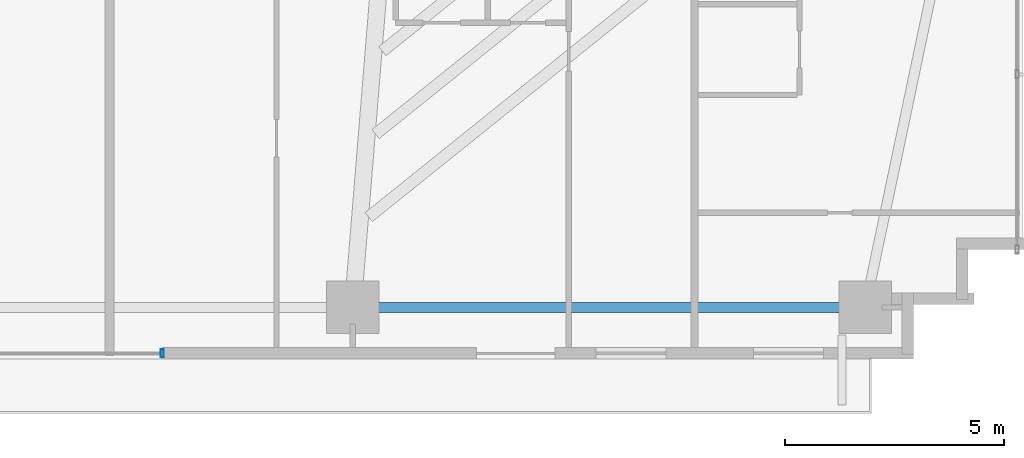
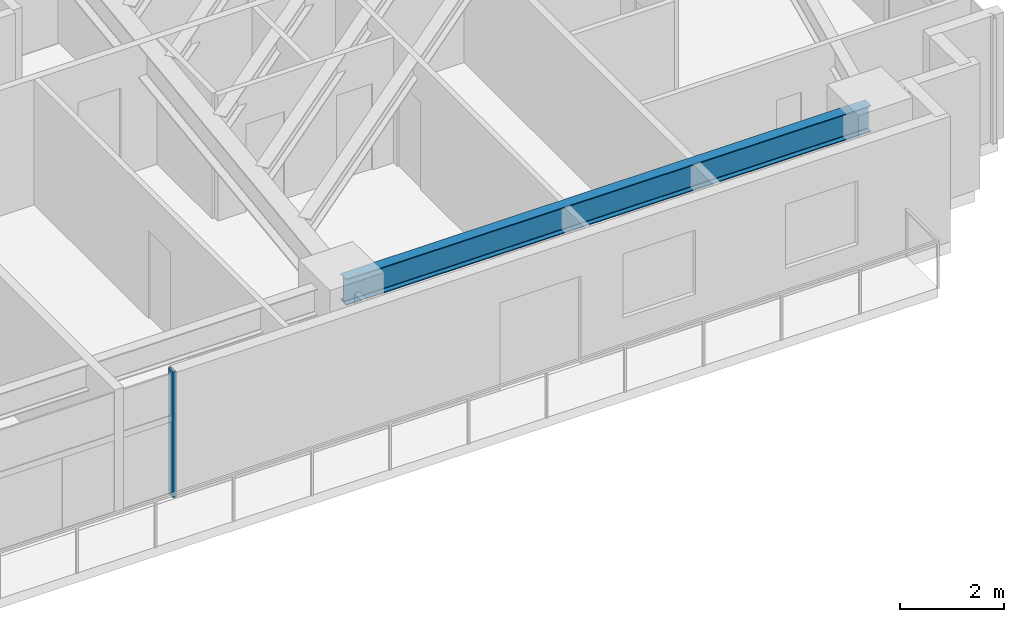
# One storey, part 12 of 25: 1 beam, 1 member, 1 element without a shape of its own.
"""IFC4 building model written with IfcOpenShell, lengths in metres."""

from ifc_helpers import new_model, si_unit, direction, frame, origin, origin_2d, place, context, subcontext, project, spatial, hollow_rectangle, i_section, extrude, source, transform, mapped, material, material_profile, profile_set, type_object, type_shapes, element, aggregate, save


model = new_model("IFC4")

# Units and contexts
model_context = context("Model", 3, precision=1e-05, world=origin(), true_north=direction((0.0, 1.0)))
body_context = subcontext(model_context, "Body", "Model", "MODEL_VIEW")
ifc_project = project(units=[si_unit("LENGTHUNIT", "METRE"), si_unit("AREAUNIT", "SQUARE_METRE"), si_unit("VOLUMEUNIT", "CUBIC_METRE"), si_unit("PLANEANGLEUNIT", "RADIAN"), si_unit("MASSUNIT", "GRAM", prefix="KILO")], contexts=[model_context])

# Site, building, storey
site_placement = place(None, origin())
site = spatial("IfcSite", under=ifc_project, at=site_placement, CompositionType="ELEMENT")
building_placement = place(site_placement, origin())
building = spatial("IfcBuilding", under=site, at=building_placement, Name="Astriad Promenade Condominiums", CompositionType="ELEMENT")
storey_placement = place(building_placement, frame((0.0, 0.0, 45.39990234375)))
storey = spatial("IfcBuildingStorey", under=building, at=storey_placement, Name="L12", CompositionType="ELEMENT", Elevation=45.39990234375)

# Beam
ifc_material_1 = material(Name="Steel ASTM A992 Grade 50", Category="steel")
ifc_material_profile_1 = material_profile(ifc_material_1, i_section(OverallWidth=0.22900390625, OverallDepth=0.612060546875, WebThickness=0.011962890625, FlangeThickness=0.01953125, FilletRadius=0.017822265625, at=origin_2d()), Name="W24X84")
ifc_profile_set_1 = profile_set([ifc_material_profile_1], Name="Steel ASTM A992 Grade 50")
beam_type = type_object("IfcBeamType", Name="STEEL SPANDREL BEAM W24X84", PredefinedType="SPANDREL", material=ifc_profile_set_1)
shared_shape_1 = source(origin(), body_context, "Body", "SweptSolid", [
    extrude(i_section(OverallWidth=0.22900390625, OverallDepth=0.612060546875, WebThickness=0.011962890625, FlangeThickness=0.01953125, FilletRadius=0.017822265625, at=origin_2d()), origin(), (0.0, 0.0, 1.0), 11.619873046875),
])
type_shapes(beam_type, [shared_shape_1])
beam_placement = place(storey_placement, frame((44.5400390625, 3.8798828125, 2.634033203125), z_axis=(1.0, 0.0, 0.0), x_axis=(0.0, 1.0, 0.0)))
element("IfcBeam", 1, at=beam_placement, inside=storey, type_object=beam_type, Name="Perimeter Spandrel Beam SP-S4-L12", PredefinedType="SPANDREL", context=body_context, shape_type="MappedRepresentation", body=[
    mapped(shared_shape_1, transform((0.0, 0.0, 0.0), scale=1.0)),
])

# Curtain wall, member
ifc_material_2 = material(Name="Anodised aluminium Black Dark Glass Unitised", Category="aluminium")
curtain_wall_type = type_object("IfcCurtainWallType", Name="CW-B1-DARK", PredefinedType="USERDEFINED", material=ifc_material_2)
curtain_wall_placement = place(storey_placement, origin())
curtain_wall = element("IfcCurtainWall", 2, at=curtain_wall_placement, inside=storey, type_object=curtain_wall_type, Name="CW-L12-S", ObjectType="UNITISED_CURTAIN_WALL", PredefinedType="USERDEFINED")
ifc_material_3 = material(Name="Anodised aluminium 6063-T6 Black", Category="aluminium")
ifc_material_profile_2 = material_profile(ifc_material_3, hollow_rectangle(XDim=0.074951171875, YDim=0.18505859375, WallThickness=0.00439453125, at=origin_2d()), Name="ALU-MUL-75X185")
ifc_profile_set_2 = profile_set([ifc_material_profile_2], Name="Anodised aluminium 6063-T6 Black")
member_type = type_object("IfcMemberType", Name="MUL-ALU-MUL-75X185", PredefinedType="MULLION", material=ifc_profile_set_2)
shared_shape_2 = source(origin(), body_context, "Body", "SweptSolid", [
    extrude(hollow_rectangle(XDim=0.074951171875, YDim=0.18505859375, WallThickness=0.00439453125, at=origin_2d()), origin(), (0.0, 0.0, 1.0), 2.940185546875),
])
type_shapes(member_type, [shared_shape_2])
member_placement = place(storey_placement, frame((40.14990234375, 2.830078125, 0.0), z_axis=(0.0, 0.0, 1.0), x_axis=(1.0, 0.0, 0.0)))
member = element("IfcMember", 3, at=member_placement, type_object=member_type, Name="CW-L12-S-MUL-00", PredefinedType="MULLION", context=body_context, shape_type="MappedRepresentation", body=[
    mapped(shared_shape_2, transform((0.0, 0.0, 0.0), scale=1.0)),
])
aggregate(curtain_wall, [member])

save(model, "model.ifc")
